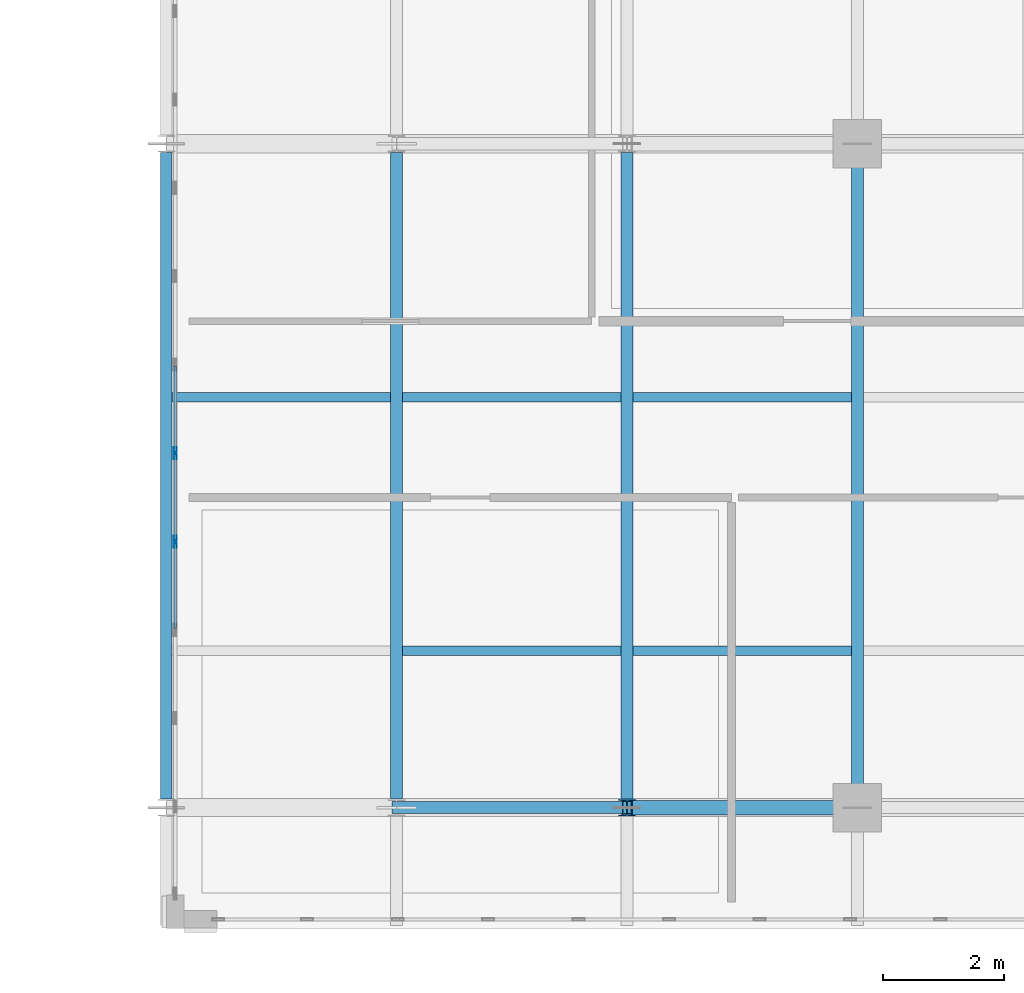
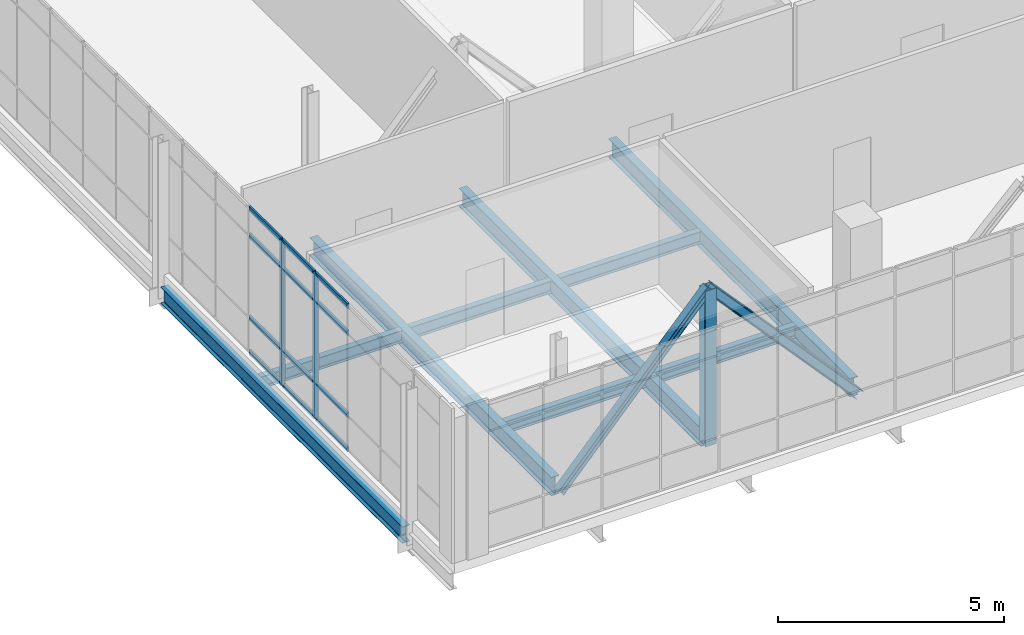
# One storey, part 3 of 165: 17 members, 9 beams, 1 element without a shape of its own.
"""IFC4 building model written with IfcOpenShell, lengths in metres."""

from ifc_helpers import new_model, si_unit, direction, frame, origin, origin_2d, place, context, subcontext, project, spatial, hollow_rectangle, i_section, extrude, material, layer, layer_set, material_profile, profile_set, type_object, element, aggregate, save


model = new_model("IFC4")

# Units and contexts
model_context = context("Model", 3, precision=1e-05, world=origin(), true_north=direction((0.0, 1.0)))
body_context = subcontext(model_context, "Body", "Model", "MODEL_VIEW")
ifc_project = project(units=[si_unit("LENGTHUNIT", "METRE"), si_unit("AREAUNIT", "SQUARE_METRE"), si_unit("VOLUMEUNIT", "CUBIC_METRE"), si_unit("PLANEANGLEUNIT", "RADIAN"), si_unit("MASSUNIT", "GRAM", prefix="KILO")], contexts=[model_context])

# Site, building, storey
site_placement = place(None, origin())
site = spatial("IfcSite", under=ifc_project, at=site_placement, CompositionType="ELEMENT")
building_placement = place(site_placement, origin())
building = spatial("IfcBuilding", under=site, at=building_placement, Name="Qalavern Law Courts", CompositionType="ELEMENT")
storey_placement = place(building_placement, frame((0.0, 0.0, 14.39990234375)))
storey = spatial("IfcBuildingStorey", under=building, at=storey_placement, Name="L03", CompositionType="ELEMENT", Elevation=14.39990234375)

# Curtain wall, members
ifc_material_1 = material(Name="Anodised aluminium and insulated glazing", Category="aluminium")
ifc_layer = layer(ifc_material_1, 0.199951171875)
ifc_layer_set = layer_set([ifc_layer], Name="Anodised aluminium and insulated glazing")
curtain_wall_type = type_object("IfcCurtainWallType", Name="ENV-CW-FOYER", PredefinedType="USERDEFINED", material=ifc_layer_set)
curtain_wall_placement = place(storey_placement, origin())
curtain_wall = element("IfcCurtainWall", 1, at=curtain_wall_placement, inside=storey, type_object=curtain_wall_type, Name="V1 unitised curtain wall L03 west 1", ObjectType="UNITISED CURTAIN WALL", PredefinedType="USERDEFINED")
ifc_material_2 = material(Name="Anodised aluminium", Category="aluminium")
ifc_material_profile_1 = material_profile(ifc_material_2, hollow_rectangle(XDim=0.048095703125, YDim=0.199951171875, WallThickness=0.00439453125, at=origin_2d()), Name="ALU MULLION 48x200")
ifc_profile_set_1 = profile_set([ifc_material_profile_1], Name="Anodised aluminium")
member_type_1 = type_object("IfcMemberType", Name="ENV-CWM-48x200", PredefinedType="MULLION", material=ifc_profile_set_1)
member_1_placement = place(storey_placement, frame((5.49755859375, 15.87353515625, 0.0), z_axis=(0.0, 0.0, 1.0), x_axis=(1.0, 0.0, 0.0)))
member_1 = element("IfcMember", 2, at=member_1_placement, type_object=member_type_1, Name="CW-01 mullion 13", PredefinedType="MULLION", context=body_context, shape_type="SweptSolid", body=[
    extrude(hollow_rectangle(XDim=0.048095703125, YDim=0.199951171875, WallThickness=0.00439453125, at=origin_2d()), origin(), (0.0, 0.0, 1.0), 3.920166015625),
])
member_2_placement = place(storey_placement, frame((5.49755859375, 14.408935546875, 0.0), z_axis=(0.0, 0.0, 1.0), x_axis=(1.0, 0.0, 0.0)))
member_2 = element("IfcMember", 3, at=member_2_placement, type_object=member_type_1, Name="CW-01 mullion 14", PredefinedType="MULLION", context=body_context, shape_type="SweptSolid", body=[
    extrude(hollow_rectangle(XDim=0.048095703125, YDim=0.199951171875, WallThickness=0.00439453125, at=origin_2d()), origin(), (0.0, 0.0, 1.0), 3.920166015625),
])
ifc_material_profile_2 = material_profile(ifc_material_2, hollow_rectangle(XDim=0.048095703125, YDim=0.139892578125, WallThickness=0.00390625, at=origin_2d()), Name="ALU TRANSOM 48x140")
ifc_profile_set_2 = profile_set([ifc_material_profile_2], Name="Anodised aluminium")
member_type_2 = type_object("IfcMemberType", Name="ENV-CWT-48x140", PredefinedType="USERDEFINED", material=ifc_profile_set_2)
member_3_placement = place(storey_placement, frame((5.49755859375, 17.314208984375, 0.024169921875), z_axis=(0.0, -1.0, 0.0), x_axis=(1.0, 0.0, 0.0)))
member_3 = element("IfcMember", 4, at=member_3_placement, type_object=member_type_2, Name="CW-01 transom 12.1", ObjectType="TRANSOM", PredefinedType="USERDEFINED", context=body_context, shape_type="SweptSolid", body=[
    extrude(hollow_rectangle(XDim=0.048095703125, YDim=0.139892578125, WallThickness=0.00390625, at=origin_2d()), origin(), (0.0, 0.0, 1.0), 1.416748046875),
])
member_4_placement = place(storey_placement, frame((5.49755859375, 17.314208984375, 0.9501953125), z_axis=(0.0, -1.0, 0.0), x_axis=(1.0, 0.0, 0.0)))
member_4 = element("IfcMember", 5, at=member_4_placement, type_object=member_type_2, Name="CW-01 transom 12.2", ObjectType="TRANSOM", PredefinedType="USERDEFINED", context=body_context, shape_type="SweptSolid", body=[
    extrude(hollow_rectangle(XDim=0.048095703125, YDim=0.139892578125, WallThickness=0.00390625, at=origin_2d()), origin(), (0.0, 0.0, 1.0), 1.416748046875),
])
member_5_placement = place(storey_placement, frame((5.49755859375, 17.314208984375, 3.170166015625), z_axis=(0.0, -1.0, 0.0), x_axis=(1.0, 0.0, 0.0)))
member_5 = element("IfcMember", 6, at=member_5_placement, type_object=member_type_2, Name="CW-01 transom 12.3", ObjectType="TRANSOM", PredefinedType="USERDEFINED", context=body_context, shape_type="SweptSolid", body=[
    extrude(hollow_rectangle(XDim=0.048095703125, YDim=0.139892578125, WallThickness=0.00390625, at=origin_2d()), origin(), (0.0, 0.0, 1.0), 1.416748046875),
])
member_6_placement = place(storey_placement, frame((5.49755859375, 17.314208984375, 3.89599609375), z_axis=(0.0, -1.0, 0.0), x_axis=(1.0, 0.0, 0.0)))
member_6 = element("IfcMember", 7, at=member_6_placement, type_object=member_type_2, Name="CW-01 transom 12.4", ObjectType="TRANSOM", PredefinedType="USERDEFINED", context=body_context, shape_type="SweptSolid", body=[
    extrude(hollow_rectangle(XDim=0.048095703125, YDim=0.139892578125, WallThickness=0.00390625, at=origin_2d()), origin(), (0.0, 0.0, 1.0), 1.416748046875),
])
member_7_placement = place(storey_placement, frame((5.49755859375, 15.849609375, 0.024169921875), z_axis=(0.0, -1.0, 0.0), x_axis=(1.0, 0.0, 0.0)))
member_7 = element("IfcMember", 8, at=member_7_placement, type_object=member_type_2, Name="CW-01 transom 13.1", ObjectType="TRANSOM", PredefinedType="USERDEFINED", context=body_context, shape_type="SweptSolid", body=[
    extrude(hollow_rectangle(XDim=0.048095703125, YDim=0.139892578125, WallThickness=0.00390625, at=origin_2d()), origin(), (0.0, 0.0, 1.0), 1.416748046875),
])
member_8_placement = place(storey_placement, frame((5.49755859375, 15.849609375, 0.9501953125), z_axis=(0.0, -1.0, 0.0), x_axis=(1.0, 0.0, 0.0)))
member_8 = element("IfcMember", 9, at=member_8_placement, type_object=member_type_2, Name="CW-01 transom 13.2", ObjectType="TRANSOM", PredefinedType="USERDEFINED", context=body_context, shape_type="SweptSolid", body=[
    extrude(hollow_rectangle(XDim=0.048095703125, YDim=0.139892578125, WallThickness=0.00390625, at=origin_2d()), origin(), (0.0, 0.0, 1.0), 1.416748046875),
])
member_9_placement = place(storey_placement, frame((5.49755859375, 15.849609375, 3.170166015625), z_axis=(0.0, -1.0, 0.0), x_axis=(1.0, 0.0, 0.0)))
member_9 = element("IfcMember", 10, at=member_9_placement, type_object=member_type_2, Name="CW-01 transom 13.3", ObjectType="TRANSOM", PredefinedType="USERDEFINED", context=body_context, shape_type="SweptSolid", body=[
    extrude(hollow_rectangle(XDim=0.048095703125, YDim=0.139892578125, WallThickness=0.00390625, at=origin_2d()), origin(), (0.0, 0.0, 1.0), 1.416748046875),
])
member_10_placement = place(storey_placement, frame((5.49755859375, 15.849609375, 3.89599609375), z_axis=(0.0, -1.0, 0.0), x_axis=(1.0, 0.0, 0.0)))
member_10 = element("IfcMember", 11, at=member_10_placement, type_object=member_type_2, Name="CW-01 transom 13.4", ObjectType="TRANSOM", PredefinedType="USERDEFINED", context=body_context, shape_type="SweptSolid", body=[
    extrude(hollow_rectangle(XDim=0.048095703125, YDim=0.139892578125, WallThickness=0.00390625, at=origin_2d()), origin(), (0.0, 0.0, 1.0), 1.416748046875),
])
member_11_placement = place(storey_placement, frame((5.49755859375, 14.384765625, 0.024169921875), z_axis=(0.0, -1.0, 0.0), x_axis=(1.0, 0.0, 0.0)))
member_11 = element("IfcMember", 12, at=member_11_placement, type_object=member_type_2, Name="CW-01 transom 14.1", ObjectType="TRANSOM", PredefinedType="USERDEFINED", context=body_context, shape_type="SweptSolid", body=[
    extrude(hollow_rectangle(XDim=0.048095703125, YDim=0.139892578125, WallThickness=0.00390625, at=origin_2d()), origin(), (0.0, 0.0, 1.0), 1.416748046875),
])
member_12_placement = place(storey_placement, frame((5.49755859375, 14.384765625, 0.9501953125), z_axis=(0.0, -1.0, 0.0), x_axis=(1.0, 0.0, 0.0)))
member_12 = element("IfcMember", 13, at=member_12_placement, type_object=member_type_2, Name="CW-01 transom 14.2", ObjectType="TRANSOM", PredefinedType="USERDEFINED", context=body_context, shape_type="SweptSolid", body=[
    extrude(hollow_rectangle(XDim=0.048095703125, YDim=0.139892578125, WallThickness=0.00390625, at=origin_2d()), origin(), (0.0, 0.0, 1.0), 1.416748046875),
])
member_13_placement = place(storey_placement, frame((5.49755859375, 14.384765625, 3.170166015625), z_axis=(0.0, -1.0, 0.0), x_axis=(1.0, 0.0, 0.0)))
member_13 = element("IfcMember", 14, at=member_13_placement, type_object=member_type_2, Name="CW-01 transom 14.3", ObjectType="TRANSOM", PredefinedType="USERDEFINED", context=body_context, shape_type="SweptSolid", body=[
    extrude(hollow_rectangle(XDim=0.048095703125, YDim=0.139892578125, WallThickness=0.00390625, at=origin_2d()), origin(), (0.0, 0.0, 1.0), 1.416748046875),
])
member_14_placement = place(storey_placement, frame((5.49755859375, 14.384765625, 3.89599609375), z_axis=(0.0, -1.0, 0.0), x_axis=(1.0, 0.0, 0.0)))
member_14 = element("IfcMember", 15, at=member_14_placement, type_object=member_type_2, Name="CW-01 transom 14.4", ObjectType="TRANSOM", PredefinedType="USERDEFINED", context=body_context, shape_type="SweptSolid", body=[
    extrude(hollow_rectangle(XDim=0.048095703125, YDim=0.139892578125, WallThickness=0.00390625, at=origin_2d()), origin(), (0.0, 0.0, 1.0), 1.416748046875),
])
aggregate(curtain_wall, [member_1, member_2, member_3, member_4, member_5, member_6, member_7, member_8, member_9, member_10, member_11, member_12, member_13, member_14])

# Beams
ifc_material_3 = material(Name="Steel S355", Category="steel")
ifc_material_profile_3 = material_profile(ifc_material_3, i_section(OverallWidth=0.199951171875, OverallDepth=0.5, WebThickness=0.01025390625, FlangeThickness=0.01611328125, FilletRadius=0.02099609375, at=origin_2d()), Name="IPE 500")
ifc_profile_set_3 = profile_set([ifc_material_profile_3], Name="Steel S355")
beam_type_1 = type_object("IfcBeamType", Name="STR-BM-IPE500", PredefinedType="BEAM", material=ifc_profile_set_3)
for number, where, z_axis, x_axis, name in (
    (16, (16.800048828125, 10.14794921875, -0.534912109375), (0.0, 1.0, 0.0), (-1.0, 0.0, 0.0), "Foyer transverse beam L03-5.2"),
    (17, (12.9833984375, 10.14794921875, -0.534912109375), (0.0, 1.0, 0.0), (-1.0, 0.0, 0.0), "Foyer transverse beam L03-6.2"),
    (18, (9.166748046875, 10.14794921875, -0.534912109375), (0.0, 1.0, 0.0), (-1.0, 0.0, 0.0), "Foyer transverse beam L03-7.2"),
):
    element("IfcBeam", number, at=place(storey_placement, frame(where, z_axis=z_axis, x_axis=x_axis)), inside=storey, type_object=beam_type_1, Name=name, PredefinedType="BEAM", context=body_context, shape_type="SweptSolid", body=[
        extrude(i_section(OverallWidth=0.199951171875, OverallDepth=0.5, WebThickness=0.01025390625, FlangeThickness=0.01611328125, FilletRadius=0.02099609375, at=origin_2d()), origin(), (0.0, 0.0, 1.0), 10.7041015625),
    ])

# Members
ifc_material_profile_4 = material_profile(ifc_material_3, i_section(OverallWidth=0.199951171875, OverallDepth=0.199951171875, WebThickness=0.009033203125, FlangeThickness=0.014892578125, FilletRadius=0.01806640625, at=origin_2d()), Name="HEB 200")
ifc_profile_set_4 = profile_set([ifc_material_profile_4], Name="Steel S355")
member_type_3 = type_object("IfcMemberType", Name="STR-BR-HEB200", PredefinedType="BRACE", material=ifc_profile_set_4)
member_15_placement = place(storey_placement, frame((12.9833984375, 10.0, 3.59521484375), z_axis=(-0.672079845695, 0.0, -0.740478683698), x_axis=(0.0, -1.0, 0.0)))
element("IfcMember", 19, at=member_15_placement, inside=storey, type_object=member_type_3, Name="Cantilever truss T1 diagonal L03-6", PredefinedType="BRACE", context=body_context, shape_type="SweptSolid", body=[
    extrude(i_section(OverallWidth=0.199951171875, OverallDepth=0.199951171875, WebThickness=0.009033203125, FlangeThickness=0.014892578125, FilletRadius=0.01806640625, at=origin_2d()), origin(), (0.0, 0.0, 1.0), 5.678955078125),
])
ifc_material_profile_5 = material_profile(ifc_material_3, i_section(OverallWidth=0.239990234375, OverallDepth=0.239990234375, WebThickness=0.010009765625, FlangeThickness=0.01708984375, FilletRadius=0.02099609375, at=origin_2d()), Name="HEB 240")
ifc_profile_set_5 = profile_set([ifc_material_profile_5], Name="Steel S355")
member_type_4 = type_object("IfcMemberType", Name="STR-BR-HEB240", PredefinedType="BRACE", material=ifc_profile_set_5)
member_16_placement = place(storey_placement, frame((16.800048828125, 10.0, -0.60986328125), z_axis=(-0.672079845695, 0.0, 0.740478683698), x_axis=(0.0, -1.0, 0.0)))
element("IfcMember", 20, at=member_16_placement, inside=storey, type_object=member_type_4, Name="Cantilever truss T1 diagonal L03-5", PredefinedType="BRACE", context=body_context, shape_type="SweptSolid", body=[
    extrude(i_section(OverallWidth=0.239990234375, OverallDepth=0.239990234375, WebThickness=0.010009765625, FlangeThickness=0.01708984375, FilletRadius=0.02099609375, at=origin_2d()), origin(), (0.0, 0.0, 1.0), 5.678955078125),
])

# Beams
ifc_material_profile_6 = material_profile(ifc_material_3, i_section(OverallWidth=0.159912109375, OverallDepth=0.330078125, WebThickness=0.007568359375, FlangeThickness=0.011474609375, FilletRadius=0.01806640625, at=origin_2d()), Name="IPE 330")
ifc_profile_set_6 = profile_set([ifc_material_profile_6], Name="Steel S355")
beam_type_2 = type_object("IfcBeamType", Name="STR-JST-IPE330", PredefinedType="JOIST", material=ifc_profile_set_6)
for number, where, z_axis, x_axis, name in (
    (21, (13.081298828125, 12.60009765625, -0.449951171875), (1.0, 0.0, 0.0), (0.0, 1.0, 0.0), "Foyer floor joist L03-5.1"),
    (22, (13.081298828125, 16.800048828125, -0.449951171875), (1.0, 0.0, 0.0), (0.0, 1.0, 0.0), "Foyer floor joist L03-5.2"),
    (23, (9.2646484375, 12.60009765625, -0.449951171875), (1.0, 0.0, 0.0), (0.0, 1.0, 0.0), "Foyer floor joist L03-6.1"),
    (24, (9.2646484375, 16.800048828125, -0.449951171875), (1.0, 0.0, 0.0), (0.0, 1.0, 0.0), "Foyer floor joist L03-6.2"),
    (25, (5.447998046875, 16.800048828125, -0.449951171875), (1.0, 0.0, 0.0), (0.0, 1.0, 0.0), "Foyer floor joist L03-7.2"),
):
    element("IfcBeam", number, at=place(storey_placement, frame(where, z_axis=z_axis, x_axis=x_axis)), inside=storey, type_object=beam_type_2, Name=name, PredefinedType="JOIST", context=body_context, shape_type="SweptSolid", body=[
        extrude(i_section(OverallWidth=0.159912109375, OverallDepth=0.330078125, WebThickness=0.007568359375, FlangeThickness=0.011474609375, FilletRadius=0.01806640625, at=origin_2d()), origin(), (0.0, 0.0, 1.0), 3.62060546875),
    ])

# Member
ifc_material_profile_7 = material_profile(ifc_material_3, i_section(OverallWidth=0.280029296875, OverallDepth=0.280029296875, WebThickness=0.010498046875, FlangeThickness=0.01806640625, FilletRadius=0.02392578125, at=origin_2d()), Name="HEB 280")
ifc_profile_set_7 = profile_set([ifc_material_profile_7], Name="Steel S355")
member_type_5 = type_object("IfcMemberType", Name="STR-POST-HEB280", PredefinedType="POST", material=ifc_profile_set_7)
member_17_placement = place(storey_placement, frame((12.9833984375, 10.0, -0.60986328125), z_axis=(0.0, 0.0, 1.0), x_axis=(1.0, 0.0, 0.0)))
element("IfcMember", 26, at=member_17_placement, inside=storey, type_object=member_type_5, Name="Cantilever truss T1 post L03-1", PredefinedType="POST", context=body_context, shape_type="SweptSolid", body=[
    extrude(i_section(OverallWidth=0.280029296875, OverallDepth=0.280029296875, WebThickness=0.010498046875, FlangeThickness=0.01806640625, FilletRadius=0.02392578125, at=origin_2d()), origin(), (0.0, 0.0, 1.0), 4.205078125),
])

# Beam
ifc_material_profile_8 = material_profile(ifc_material_3, i_section(OverallWidth=0.18994140625, OverallDepth=0.449951171875, WebThickness=0.009521484375, FlangeThickness=0.0146484375, FilletRadius=0.02099609375, at=origin_2d()), Name="IPE 450")
ifc_profile_set_8 = profile_set([ifc_material_profile_8], Name="Steel S355")
beam_type_3 = type_object("IfcBeamType", Name="STR-SP-IPE450", PredefinedType="SPANDREL", material=ifc_profile_set_8)
beam_placement = place(storey_placement, frame((5.35009765625, 10.14794921875, -0.510009765625), z_axis=(0.0, 1.0, 0.0), x_axis=(-1.0, 0.0, 0.0)))
element("IfcBeam", 27, at=beam_placement, inside=storey, type_object=beam_type_3, Name="Foyer transverse beam L03-8.2", PredefinedType="SPANDREL", context=body_context, shape_type="SweptSolid", body=[
    extrude(i_section(OverallWidth=0.18994140625, OverallDepth=0.449951171875, WebThickness=0.009521484375, FlangeThickness=0.0146484375, FilletRadius=0.02099609375, at=origin_2d()), origin(), (0.0, 0.0, 1.0), 10.7041015625),
])

save(model, "model.ifc")
